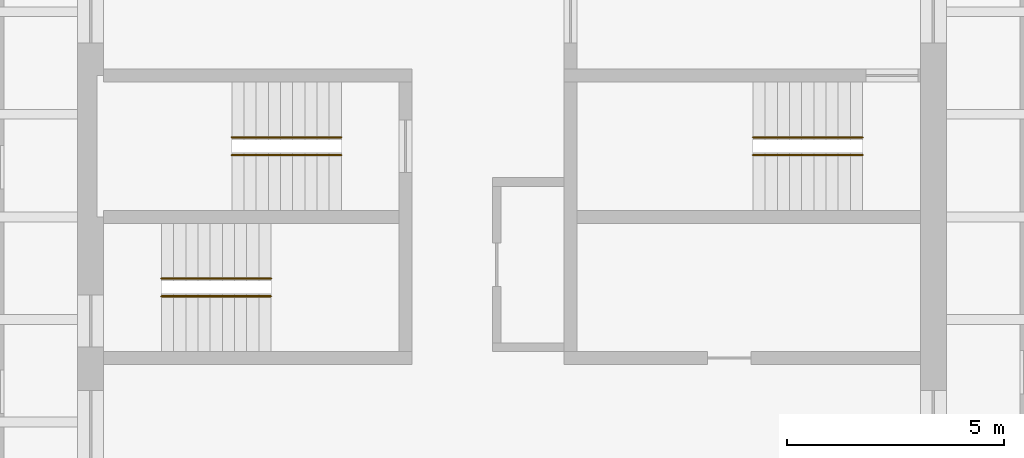
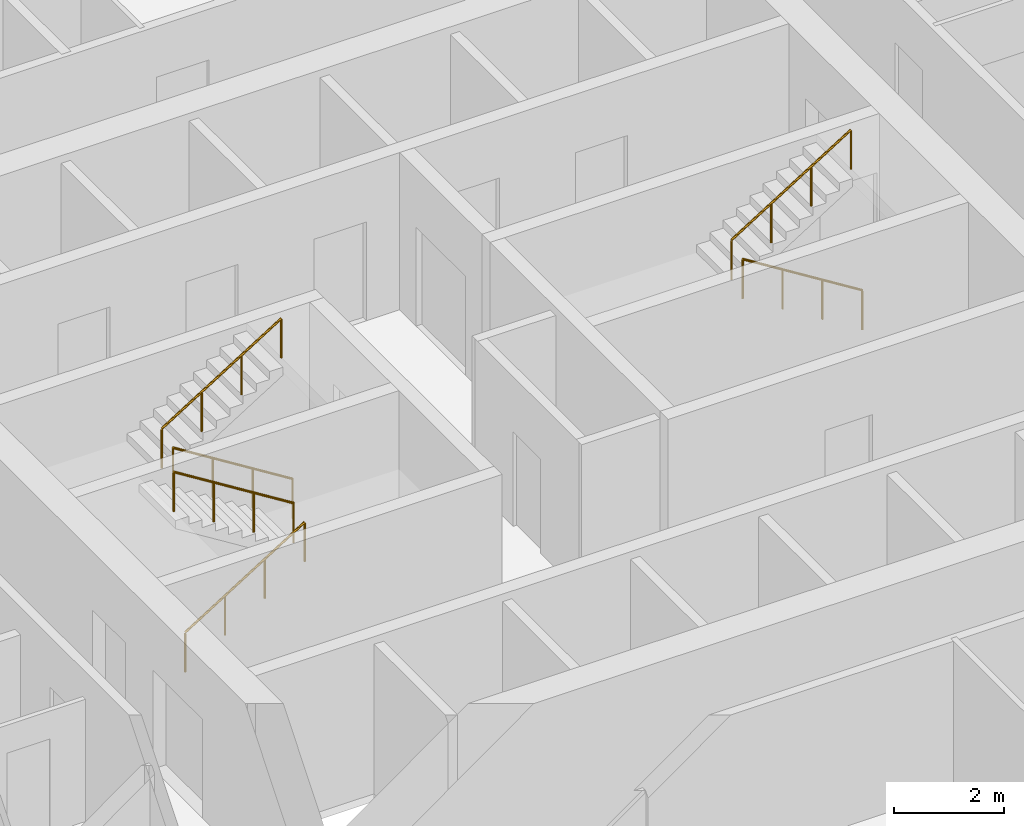
# One storey, part 9 of 9: 6 railings.
"""IFC4 building model written with IfcOpenShell, lengths in metres."""

from ifc_helpers import new_model, si_unit, direction, frame, origin, origin_2d, place, context, subcontext, project, spatial, circle, extrude, material, type_object, element, save


model = new_model("IFC4")

# Units and contexts
model_context = context("Model", 3, precision=1e-05, world=origin(), true_north=direction((0.0, 1.0)))
body_context = subcontext(model_context, "Body", "Model", "MODEL_VIEW")
ifc_project = project(units=[si_unit("LENGTHUNIT", "METRE"), si_unit("AREAUNIT", "SQUARE_METRE"), si_unit("VOLUMEUNIT", "CUBIC_METRE"), si_unit("PLANEANGLEUNIT", "RADIAN"), si_unit("MASSUNIT", "GRAM", prefix="KILO")], contexts=[model_context])

# Site, building, storey
site_placement = place(None, origin())
site = spatial("IfcSite", under=ifc_project, at=site_placement, CompositionType="ELEMENT")
building_placement = place(site_placement, origin())
building = spatial("IfcBuilding", under=site, at=building_placement, Name="Turquesa Mirador Hotel Tower", CompositionType="ELEMENT")
storey_placement = place(building_placement, frame((0.0, 0.0, 42.5)))
storey = spatial("IfcBuildingStorey", under=building, at=storey_placement, Name="L10", CompositionType="ELEMENT", Elevation=42.5)

# Railings
ifc_material = material(Name="Painted steel handrail", Category="steel")
railing_type = type_object("IfcRailingType", Name="HANDRAIL 900 STEEL", PredefinedType="HANDRAIL", material=ifc_material)
railing_1_placement = place(storey_placement, frame((51.070068359375, 46.419921875, 0.175048828125)))
element("IfcRailing", 1, at=railing_1_placement, inside=storey, type_object=railing_type, Name="Handrail ST1", PredefinedType="HANDRAIL", context=body_context, shape_type="SweptSolid", body=[
    extrude(circle(Radius=0.02392578125, at=origin_2d()), frame((0.0, 0.0, 0.8759765625), z_axis=(-0.848007534815, 0.0, 0.529984170421), x_axis=(0.0, -1.0, 0.0)), (0.0, 0.0, 1.0), 2.9716796875),
    extrude(circle(Radius=0.02099609375, at=origin_2d()), origin(), (0.0, 0.0, 1.0), 0.851806640625),
    extrude(circle(Radius=0.02099609375, at=origin_2d()), frame((-0.840087890625, 0.0, 0.52490234375)), (0.0, 0.0, 1.0), 0.851806640625),
    extrude(circle(Radius=0.02099609375, at=origin_2d()), frame((-1.679931640625, 0.0, 1.050048828125)), (0.0, 0.0, 1.0), 0.851806640625),
    extrude(circle(Radius=0.02099609375, at=origin_2d()), frame((-2.52001953125, 0.0, 1.574951171875)), (0.0, 0.0, 1.0), 0.851806640625),
])
for number, where, name in (
    (2, (48.550048828125, 46.830078125, 1.925048828125), "Handrail ST1"),
    (3, (46.929931640625, 43.169921875, 0.175048828125), "Handrail ST2"),
):
    element("IfcRailing", number, at=place(storey_placement, frame(where)), inside=storey, type_object=railing_type, Name=name, PredefinedType="HANDRAIL", context=body_context, shape_type="SweptSolid", body=[
        extrude(circle(Radius=0.02392578125, at=origin_2d()), frame((0.0, 0.0, 0.8759765625), z_axis=(0.848007534815, 0.0, 0.529984170421), x_axis=(0.0, 1.0, 0.0)), (0.0, 0.0, 1.0), 2.9716796875),
        extrude(circle(Radius=0.02099609375, at=origin_2d()), origin(), (0.0, 0.0, 1.0), 0.851806640625),
        extrude(circle(Radius=0.02099609375, at=origin_2d()), frame((0.840087890625, 0.0, 0.52490234375)), (0.0, 0.0, 1.0), 0.851806640625),
        extrude(circle(Radius=0.02099609375, at=origin_2d()), frame((1.679931640625, 0.0, 1.050048828125)), (0.0, 0.0, 1.0), 0.851806640625),
        extrude(circle(Radius=0.02099609375, at=origin_2d()), frame((2.52001953125, 0.0, 1.574951171875)), (0.0, 0.0, 1.0), 0.851806640625),
    ])
for number, where, name in (
    (4, (49.449951171875, 43.580078125, 1.925048828125), "Handrail ST2"),
    (5, (63.070068359375, 46.419921875, 0.175048828125), "Handrail ST3"),
):
    element("IfcRailing", number, at=place(storey_placement, frame(where)), inside=storey, type_object=railing_type, Name=name, PredefinedType="HANDRAIL", context=body_context, shape_type="SweptSolid", body=[
        extrude(circle(Radius=0.02392578125, at=origin_2d()), frame((0.0, 0.0, 0.8759765625), z_axis=(-0.848007534815, 0.0, 0.529984170421), x_axis=(0.0, -1.0, 0.0)), (0.0, 0.0, 1.0), 2.9716796875),
        extrude(circle(Radius=0.02099609375, at=origin_2d()), origin(), (0.0, 0.0, 1.0), 0.851806640625),
        extrude(circle(Radius=0.02099609375, at=origin_2d()), frame((-0.840087890625, 0.0, 0.52490234375)), (0.0, 0.0, 1.0), 0.851806640625),
        extrude(circle(Radius=0.02099609375, at=origin_2d()), frame((-1.679931640625, 0.0, 1.050048828125)), (0.0, 0.0, 1.0), 0.851806640625),
        extrude(circle(Radius=0.02099609375, at=origin_2d()), frame((-2.52001953125, 0.0, 1.574951171875)), (0.0, 0.0, 1.0), 0.851806640625),
    ])
railing_2_placement = place(storey_placement, frame((60.550048828125, 46.830078125, 1.925048828125)))
element("IfcRailing", 6, at=railing_2_placement, inside=storey, type_object=railing_type, Name="Handrail ST3", PredefinedType="HANDRAIL", context=body_context, shape_type="SweptSolid", body=[
    extrude(circle(Radius=0.02392578125, at=origin_2d()), frame((0.0, 0.0, 0.8759765625), z_axis=(0.848007534815, 0.0, 0.529984170421), x_axis=(0.0, 1.0, 0.0)), (0.0, 0.0, 1.0), 2.9716796875),
    extrude(circle(Radius=0.02099609375, at=origin_2d()), origin(), (0.0, 0.0, 1.0), 0.851806640625),
    extrude(circle(Radius=0.02099609375, at=origin_2d()), frame((0.840087890625, 0.0, 0.52490234375)), (0.0, 0.0, 1.0), 0.851806640625),
    extrude(circle(Radius=0.02099609375, at=origin_2d()), frame((1.679931640625, 0.0, 1.050048828125)), (0.0, 0.0, 1.0), 0.851806640625),
    extrude(circle(Radius=0.02099609375, at=origin_2d()), frame((2.52001953125, 0.0, 1.574951171875)), (0.0, 0.0, 1.0), 0.851806640625),
])

save(model, "model.ifc")
